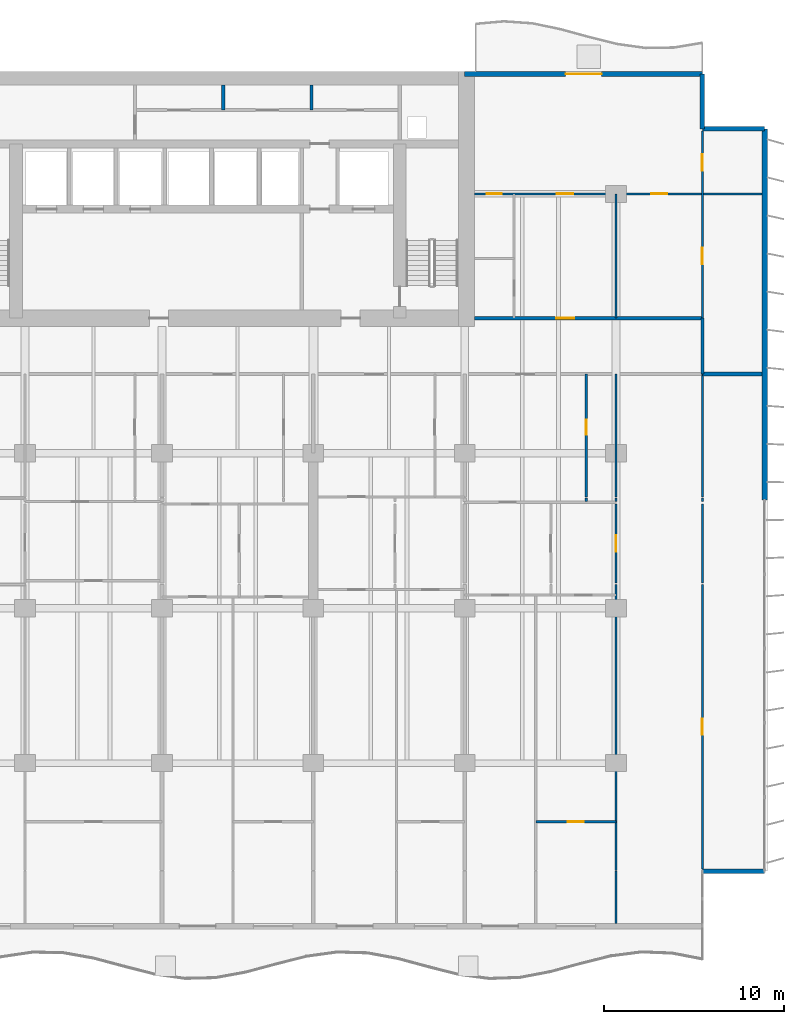
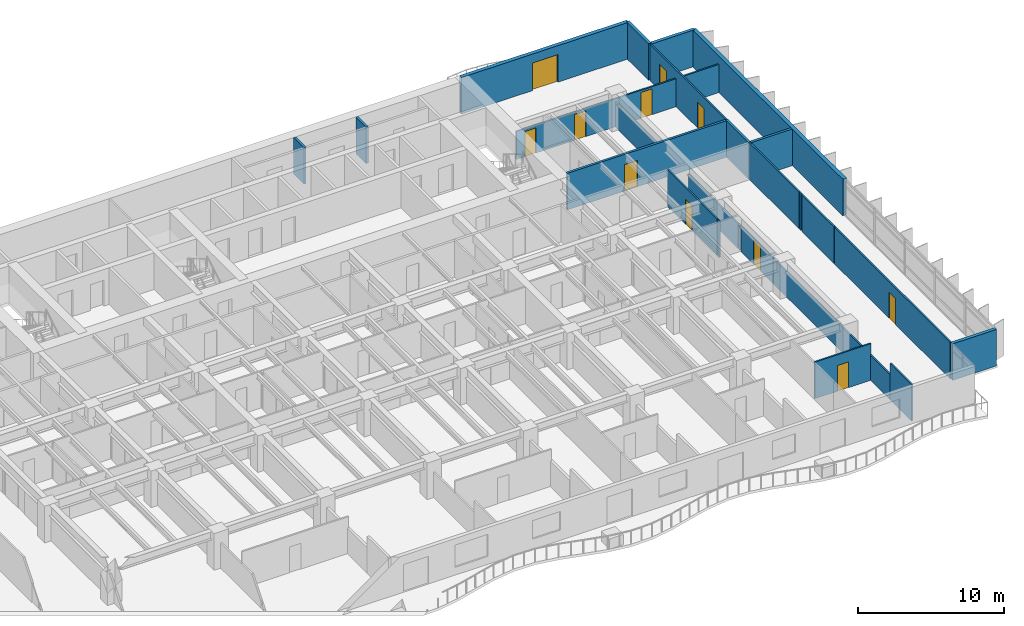
# One storey, part 12 of 17: 25 walls, 11 doors, 11 openings.
"""IFC4 building model written with IfcOpenShell, lengths in metres."""

from ifc_helpers import new_model, si_unit, direction, frame, frame_2d, origin, place, context, subcontext, project, spatial, rectangle, extrude, material, layer, layer_set, type_object, element, fill, save


model = new_model("IFC4")

# Units and contexts
model_context = context("Model", 3, precision=1e-05, world=origin(), true_north=direction((0.0, 1.0)))
body_context = subcontext(model_context, "Body", "Model", "MODEL_VIEW")
ifc_project = project(units=[si_unit("LENGTHUNIT", "METRE"), si_unit("AREAUNIT", "SQUARE_METRE"), si_unit("VOLUMEUNIT", "CUBIC_METRE"), si_unit("PLANEANGLEUNIT", "RADIAN"), si_unit("MASSUNIT", "GRAM", prefix="KILO")], contexts=[model_context])

# Site, building, storey
site_placement = place(None, origin())
site = spatial("IfcSite", under=ifc_project, at=site_placement, CompositionType="ELEMENT")
building_placement = place(site_placement, origin())
building = spatial("IfcBuilding", under=site, at=building_placement, Name="Caelmar Bay Residences", CompositionType="ELEMENT")
storey_placement = place(building_placement, frame((0.0, 0.0, 59.699951171875)))
storey = spatial("IfcBuildingStorey", under=building, at=storey_placement, Name="L15", CompositionType="ELEMENT", Elevation=59.699951171875)

# Walls
ifc_material_1 = material(Name="Double-stud acoustic fire-rated gypsum partition 180 mm")
ifc_layer_1 = layer(ifc_material_1, 0.179931640625)
ifc_layer_set_1 = layer_set([ifc_layer_1], Name="Double-stud acoustic fire-rated gypsum partition 180 mm")
wall_type_1 = type_object("IfcWallType", Name="W-COR-200", PredefinedType="PARTITIONING", material=ifc_layer_set_1)
for number, where, z_axis, x_axis, name in (
    (1, (46.10009765625, 48.449951171875, 0.0), (0.0, 0.0, 1.0), (0.0, 1.0, 0.0), "L15 Partition Wall V054"),
    (2, (51.0, 48.449951171875, 0.0), (0.0, 0.0, 1.0), (0.0, 1.0, 0.0), "L15 Partition Wall V064"),
):
    element("IfcWall", number, at=place(storey_placement, frame(where, z_axis=z_axis, x_axis=x_axis)), inside=storey, type_object=wall_type_1, Name=name, PredefinedType="PARTITIONING", context=body_context, shape_type="SweptSolid", body=[
        extrude(rectangle(XDim=1.405029296875, YDim=0.179931640625, at=frame_2d((0.70263671875, 0.0))), origin(), (0.0, 0.0, 1.0), 3.050048828125),
    ])
wall_1_placement = place(storey_placement, frame((72.699951171875, 33.804931640625, 0.0), z_axis=(0.0, 0.0, 1.0), x_axis=(0.0, 1.0, 0.0)))
element("IfcWall", 3, at=wall_1_placement, inside=storey, type_object=wall_type_1, Name="L15 Partition Wall V098", PredefinedType="PARTITIONING", context=body_context, shape_type="SweptSolid", body=[
    extrude(rectangle(XDim=3.094970703125, YDim=0.179931640625, at=frame_2d((1.54736328125, 0.0))), origin(), (0.0, 0.0, 1.0), 3.050048828125),
])

# Wall, opening, door
wall_2_placement = place(storey_placement, frame((60.054931640625, 36.89990234375, 0.0), z_axis=(0.0, 0.0, 1.0), x_axis=(1.0, 0.0, 0.0)))
wall_2 = element("IfcWall", 4, at=wall_2_placement, inside=storey, type_object=wall_type_1, Name="L15 Partition Wall H123", PredefinedType="PARTITIONING", context=body_context, shape_type="SweptSolid", body=[
    extrude(rectangle(XDim=12.64501953125, YDim=0.179931640625, at=frame_2d((6.322509765625, 0.0))), origin(), (0.0, 0.0, 1.0), 3.050048828125),
])
opening_1_placement = place(wall_2_placement, frame((4.52001953125, 0.0, 0.0)))
opening_1 = element("IfcOpeningElement", 5, at=opening_1_placement, cuts=wall_2, Name="Opening D-L15-174", PredefinedType="OPENING", context=body_context, shape_type="SweptSolid", body=[
    extrude(rectangle(XDim=1.0, YDim=2.199951171875, at=frame_2d((0.5, 1.10009765625))), frame((0.0, 0.099853515625, 0.0), z_axis=(0.0, -1.0, 0.0), x_axis=(1.0, 0.0, 0.0)), (0.0, 0.0, 1.0), 0.199951171875),
])
ifc_material_2 = material(Name="Fire-rated steel and walnut architectural door assembly", Category="steel")
ifc_layer_2 = layer(ifc_material_2, 0.050048828125)
ifc_layer_set_2 = layer_set([ifc_layer_2], Name="Fire-rated steel and walnut architectural door assembly")
door_type_1 = type_object("IfcDoorType", Name="D-UNIT-1000", OperationType="NOTDEFINED", PredefinedType="DOOR", material=ifc_layer_set_2)
door_1_placement = place(opening_1_placement, origin())
door_1 = element("IfcDoor", 6, at=door_1_placement, inside=storey, type_object=door_type_1, Name="L15 Residence EA Kitchen Door", OperationType="SINGLE_SWING_LEFT", OverallHeight=2.199951171875, OverallWidth=1.0, PredefinedType="DOOR", context=body_context, shape_type="SweptSolid", body=[
    extrude(rectangle(XDim=1.0, YDim=2.199951171875, at=frame_2d((0.5, 1.10009765625))), frame((0.0, 0.02490234375, 0.0), z_axis=(0.0, -1.0, 0.0), x_axis=(1.0, 0.0, 0.0)), (0.0, 0.0, 1.0), 0.050048828125),
])
fill(opening_1, door_1)

# Walls
ifc_material_3 = material(Name="Precast concrete f'c 40 MPa (6,000 psi)", Category="concrete")
ifc_layer_3 = layer(ifc_material_3, 0.25)
ifc_layer_set_3 = layer_set([ifc_layer_3], Name="Precast concrete f'c 40 MPa (6,000 psi)")
wall_type_2 = type_object("IfcWallType", Name="W-EXT-250", PredefinedType="ELEMENTEDWALL", material=ifc_layer_set_3)
wall_3_placement = place(storey_placement, frame((72.699951171875, 6.199951171875, 0.0), z_axis=(0.0, 0.0, 1.0), x_axis=(1.0, 0.0, 0.0)))
element("IfcWall", 7, at=wall_3_placement, inside=storey, type_object=wall_type_2, Name="L15 SE Notch Return Wall", PredefinedType="ELEMENTEDWALL", context=body_context, shape_type="SweptSolid", body=[
    extrude(rectangle(XDim=3.449951171875, YDim=0.25, at=frame_2d((1.72509765625, 0.0))), origin(), (0.0, 0.0, 1.0), 3.050048828125),
])
wall_4_placement = place(storey_placement, frame((72.699951171875, 50.449951171875, 0.0), z_axis=(0.0, 0.0, 1.0), x_axis=(0.0, -1.0, 0.0)))
element("IfcWall", 8, at=wall_4_placement, inside=storey, type_object=wall_type_2, Name="L15 NNE-V Notch Wall", PredefinedType="ELEMENTEDWALL", context=body_context, shape_type="SweptSolid", body=[
    extrude(rectangle(XDim=3.050048828125, YDim=0.25, at=frame_2d((1.52490234375, 0.0))), origin(), (0.0, 0.0, 1.0), 3.050048828125),
])
wall_5_placement = place(storey_placement, frame((72.699951171875, 47.39990234375, 0.0), z_axis=(0.0, 0.0, 1.0), x_axis=(1.0, 0.0, 0.0)))
element("IfcWall", 9, at=wall_5_placement, inside=storey, type_object=wall_type_2, Name="L15 NNE-H Notch Wall", PredefinedType="ELEMENTEDWALL", context=body_context, shape_type="SweptSolid", body=[
    extrude(rectangle(XDim=3.449951171875, YDim=0.25, at=frame_2d((1.72509765625, 0.0))), origin(), (0.0, 0.0, 1.0), 3.050048828125),
])
ifc_layer_4 = layer(ifc_material_3, 0.300048828125)
ifc_layer_set_4 = layer_set([ifc_layer_4], Name="Precast concrete f'c 40 MPa (6,000 psi)")
wall_type_3 = type_object("IfcWallType", Name="W-EXT-300", PredefinedType="STANDARD", material=ifc_layer_set_4)
wall_6_placement = place(storey_placement, frame((76.14990234375, 47.39990234375, 0.0), z_axis=(0.0, 0.0, 1.0), x_axis=(0.0, -1.0, 0.0)))
element("IfcWall", 10, at=wall_6_placement, inside=storey, type_object=wall_type_3, Name="L15 East Rear Exterior Wall", PredefinedType="STANDARD", context=body_context, shape_type="SweptSolid", body=[
    extrude(rectangle(XDim=20.599853515625, YDim=0.300048828125, at=frame_2d((10.2998046875, 0.0))), origin(), (0.0, 0.0, 1.0), 3.050048828125),
])

# Wall, opening, door
wall_7_placement = place(storey_placement, frame((59.5, 50.449951171875, 0.0), z_axis=(0.0, 0.0, 1.0), x_axis=(1.0, 0.0, 0.0)))
wall_7 = element("IfcWall", 11, at=wall_7_placement, inside=storey, type_object=wall_type_3, Name="L15 North-East Wing Exterior Wall", PredefinedType="STANDARD", context=body_context, shape_type="SweptSolid", body=[
    extrude(rectangle(XDim=13.199951171875, YDim=0.300048828125, at=frame_2d((6.60009765625, 0.0))), origin(), (0.0, 0.0, 1.0), 3.050048828125),
])
opening_2_placement = place(wall_7_placement, frame((5.60009765625, 0.0, 0.0)))
opening_2 = element("IfcOpeningElement", 12, at=opening_2_placement, cuts=wall_7, Name="Opening L15-BDNE", PredefinedType="OPENING", context=body_context, shape_type="SweptSolid", body=[
    extrude(rectangle(XDim=2.0, YDim=2.300048828125, at=frame_2d((1.0, 1.14990234375))), frame((0.0, 0.159912109375, 0.0), z_axis=(0.0, -1.0, 0.0), x_axis=(1.0, 0.0, 0.0)), (0.0, 0.0, 1.0), 0.320068359375),
])
ifc_material_4 = material(Name="Anodised bronze thermally broken sliding glass door", Category="glass")
ifc_layer_5 = layer(ifc_material_4, 0.050048828125)
ifc_layer_set_5 = layer_set([ifc_layer_5], Name="Anodised bronze thermally broken sliding glass door")
door_type_2 = type_object("IfcDoorType", Name="D-BAL-2000", OperationType="DOUBLE_DOOR_SLIDING", PredefinedType="DOOR", material=ifc_layer_set_5)
door_2_placement = place(opening_2_placement, origin())
door_2 = element("IfcDoor", 13, at=door_2_placement, inside=storey, type_object=door_type_2, Name="L15 North-East Balcony Door", OperationType="DOUBLE_DOOR_SLIDING", OverallHeight=2.300048828125, OverallWidth=2.0, PredefinedType="DOOR", context=body_context, shape_type="SweptSolid", body=[
    extrude(rectangle(XDim=2.0, YDim=2.300048828125, at=frame_2d((1.0, 1.14990234375))), frame((0.0, 0.02490234375, 0.0), z_axis=(0.0, -1.0, 0.0), x_axis=(1.0, 0.0, 0.0)), (0.0, 0.0, 1.0), 0.050048828125),
])
fill(opening_2, door_2)

# Wall
ifc_material_5 = material(Name="Acoustic metal-stud gypsum partition 120 mm")
ifc_layer_6 = layer(ifc_material_5, 0.1201171875)
ifc_layer_set_6 = layer_set([ifc_layer_6], Name="Acoustic metal-stud gypsum partition 120 mm")
wall_type_4 = type_object("IfcWallType", Name="W-PRT-120", PredefinedType="PARTITIONING", material=ifc_layer_set_6)
wall_8_placement = place(storey_placement, frame((66.25, 26.719970703125, 0.0), z_axis=(0.0, 0.0, 1.0), x_axis=(0.0, 1.0, 0.0)))
element("IfcWall", 14, at=wall_8_placement, inside=storey, type_object=wall_type_4, Name="L15 Partition Wall V086", PredefinedType="PARTITIONING", context=body_context, shape_type="SweptSolid", body=[
    extrude(rectangle(XDim=0.199951171875, YDim=0.1201171875, at=frame_2d((0.10009765625, 0.0))), origin(), (0.0, 0.0, 1.0), 3.050048828125),
])

# Wall, opening, door
wall_9_placement = place(storey_placement, frame((66.25, 26.97998046875, 0.0), z_axis=(0.0, 0.0, 1.0), x_axis=(0.0, 1.0, 0.0)))
wall_9 = element("IfcWall", 15, at=wall_9_placement, inside=storey, type_object=wall_type_4, Name="L15 Partition Wall V087", PredefinedType="PARTITIONING", context=body_context, shape_type="SweptSolid", body=[
    extrude(rectangle(XDim=6.820068359375, YDim=0.1201171875, at=frame_2d((3.41015625, 0.0))), origin(), (0.0, 0.0, 1.0), 3.050048828125),
])
opening_3_placement = place(wall_9_placement, frame((3.43505859375, 0.0, 0.0)))
opening_3 = element("IfcOpeningElement", 16, at=opening_3_placement, cuts=wall_9, Name="Opening D-L15-157", PredefinedType="OPENING", context=body_context, shape_type="SweptSolid", body=[
    extrude(rectangle(XDim=0.85009765625, YDim=2.10009765625, at=frame_2d((0.425048828125, 1.050048828125))), frame((0.0, 0.070068359375, 0.0), z_axis=(0.0, -1.0, 0.0), x_axis=(1.0, 0.0, 0.0)), (0.0, 0.0, 1.0), 0.14013671875),
])
ifc_material_6 = material(Name="Solid walnut timber interior door leaf and frame", Category="wood")
ifc_layer_7 = layer(ifc_material_6, 0.050048828125)
ifc_layer_set_7 = layer_set([ifc_layer_7], Name="Solid walnut timber interior door leaf and frame")
door_type_3 = type_object("IfcDoorType", Name="D-BATH-850", OperationType="NOTDEFINED", PredefinedType="DOOR", material=ifc_layer_set_7)
door_3_placement = place(opening_3_placement, origin())
door_3 = element("IfcDoor", 17, at=door_3_placement, inside=storey, type_object=door_type_3, Name="L15 Residence 05 Bathroom Door", OperationType="SINGLE_SWING_RIGHT", OverallHeight=2.10009765625, OverallWidth=0.85009765625, PredefinedType="DOOR", context=body_context, shape_type="SweptSolid", body=[
    extrude(rectangle(XDim=0.85009765625, YDim=2.10009765625, at=frame_2d((0.425048828125, 1.050048828125))), frame((0.0, 0.02490234375, 0.0), z_axis=(0.0, -1.0, 0.0), x_axis=(1.0, 0.0, 0.0)), (0.0, 0.0, 1.0), 0.050048828125),
])
fill(opening_3, door_3)

# Walls
wall_10_placement = place(storey_placement, frame((67.89990234375, 3.294921875, 0.0), z_axis=(0.0, 0.0, 1.0), x_axis=(0.0, 1.0, 0.0)))
element("IfcWall", 18, at=wall_10_placement, inside=storey, type_object=wall_type_4, Name="L15 Partition Wall V088", PredefinedType="PARTITIONING", context=body_context, shape_type="SweptSolid", body=[
    extrude(rectangle(XDim=2.905029296875, YDim=0.1201171875, at=frame_2d((1.45263671875, 0.0))), origin(), (0.0, 0.0, 1.0), 3.050048828125),
])
wall_11_placement = place(storey_placement, frame((67.89990234375, 6.239990234375, 0.0), z_axis=(0.0, 0.0, 1.0), x_axis=(0.0, 1.0, 0.0)))
element("IfcWall", 19, at=wall_11_placement, inside=storey, type_object=wall_type_4, Name="L15 Partition Wall V089", PredefinedType="PARTITIONING", context=body_context, shape_type="SweptSolid", body=[
    extrude(rectangle(XDim=15.880126953125, YDim=0.1201171875, at=frame_2d((7.93994140625, 0.0))), origin(), (0.0, 0.0, 1.0), 2.110107421875),
])

# Wall, opening, door
wall_12_placement = place(storey_placement, frame((67.89990234375, 22.199951171875, 0.0), z_axis=(0.0, 0.0, 1.0), x_axis=(0.0, 1.0, 0.0)))
wall_12 = element("IfcWall", 20, at=wall_12_placement, inside=storey, type_object=wall_type_4, Name="L15 Partition Wall V090", PredefinedType="PARTITIONING", context=body_context, shape_type="SweptSolid", body=[
    extrude(rectangle(XDim=4.380126953125, YDim=0.1201171875, at=frame_2d((2.18994140625, 0.0))), origin(), (0.0, 0.0, 1.0), 2.110107421875),
])
opening_4_placement = place(wall_12_placement, frame((1.739990234375, 0.0, 0.0)))
opening_4 = element("IfcOpeningElement", 21, at=opening_4_placement, cuts=wall_12, Name="Opening D-L15-163", PredefinedType="OPENING", context=body_context, shape_type="SweptSolid", body=[
    extrude(rectangle(XDim=0.89990234375, YDim=2.06005859375, at=frame_2d((0.449951171875, 1.030029296875))), frame((0.0, 0.070068359375, 0.0), z_axis=(0.0, -1.0, 0.0), x_axis=(1.0, 0.0, 0.0)), (0.0, 0.0, 1.0), 0.14013671875),
])
ifc_layer_8 = layer(ifc_material_6, 0.050048828125)
ifc_layer_set_8 = layer_set([ifc_layer_8], Name="Solid walnut timber interior door leaf and frame")
door_type_4 = type_object("IfcDoorType", Name="D-ROOM-900", OperationType="NOTDEFINED", PredefinedType="DOOR", material=ifc_layer_set_8)
door_4_placement = place(opening_4_placement, origin())
door_4 = element("IfcDoor", 22, at=door_4_placement, inside=storey, type_object=door_type_4, Name="L15 Residence 05 East Apartment Hall Door", OperationType="SINGLE_SWING_RIGHT", OverallHeight=2.06005859375, OverallWidth=0.89990234375, PredefinedType="DOOR", context=body_context, shape_type="SweptSolid", body=[
    extrude(rectangle(XDim=0.89990234375, YDim=2.06005859375, at=frame_2d((0.449951171875, 1.030029296875))), frame((0.0, 0.02490234375, 0.0), z_axis=(0.0, -1.0, 0.0), x_axis=(1.0, 0.0, 0.0)), (0.0, 0.0, 1.0), 0.050048828125),
])
fill(opening_4, door_4)

# Walls
wall_13_placement = place(storey_placement, frame((67.89990234375, 26.719970703125, 0.0), z_axis=(0.0, 0.0, 1.0), x_axis=(0.0, 1.0, 0.0)))
element("IfcWall", 23, at=wall_13_placement, inside=storey, type_object=wall_type_4, Name="L15 Partition Wall V091", PredefinedType="PARTITIONING", context=body_context, shape_type="SweptSolid", body=[
    extrude(rectangle(XDim=0.199951171875, YDim=0.1201171875, at=frame_2d((0.10009765625, 0.0))), origin(), (0.0, 0.0, 1.0), 2.110107421875),
])
wall_14_placement = place(storey_placement, frame((67.89990234375, 26.97998046875, 0.0), z_axis=(0.0, 0.0, 1.0), x_axis=(0.0, 1.0, 0.0)))
element("IfcWall", 24, at=wall_14_placement, inside=storey, type_object=wall_type_4, Name="L15 Partition Wall V092", PredefinedType="PARTITIONING", context=body_context, shape_type="SweptSolid", body=[
    extrude(rectangle(XDim=6.820068359375, YDim=0.1201171875, at=frame_2d((3.41015625, 0.0))), origin(), (0.0, 0.0, 1.0), 2.110107421875),
])
wall_15_placement = place(storey_placement, frame((67.89990234375, 36.89990234375, 0.0), z_axis=(0.0, 0.0, 1.0), x_axis=(0.0, 1.0, 0.0)))
element("IfcWall", 25, at=wall_15_placement, inside=storey, type_object=wall_type_4, Name="L15 Partition Wall V093", PredefinedType="PARTITIONING", context=body_context, shape_type="SweptSolid", body=[
    extrude(rectangle(XDim=6.900146484375, YDim=0.1201171875, at=frame_2d((3.4501953125, 0.0))), origin(), (0.0, 0.0, 1.0), 2.110107421875),
])

# Wall, opening, door
wall_16_placement = place(storey_placement, frame((72.699951171875, 6.320068359375, 0.0), z_axis=(0.0, 0.0, 1.0), x_axis=(0.0, 1.0, 0.0)))
wall_16 = element("IfcWall", 26, at=wall_16_placement, inside=storey, type_object=wall_type_4, Name="L15 Partition Wall V094", PredefinedType="PARTITIONING", context=body_context, shape_type="SweptSolid", body=[
    extrude(rectangle(XDim=15.800048828125, YDim=0.1201171875, at=frame_2d((7.89990234375, 0.0))), origin(), (0.0, 0.0, 1.0), 3.050048828125),
])
opening_5_placement = place(wall_16_placement, frame((7.449951171875, 0.0, 0.0)))
opening_5 = element("IfcOpeningElement", 27, at=opening_5_placement, cuts=wall_16, Name="Opening D-L15-165", PredefinedType="OPENING", context=body_context, shape_type="SweptSolid", body=[
    extrude(rectangle(XDim=0.89990234375, YDim=2.14990234375, at=frame_2d((0.449951171875, 1.074951171875))), frame((0.0, 0.070068359375, 0.0), z_axis=(0.0, -1.0, 0.0), x_axis=(1.0, 0.0, 0.0)), (0.0, 0.0, 1.0), 0.14013671875),
])
door_5_placement = place(opening_5_placement, origin())
door_5 = element("IfcDoor", 28, at=door_5_placement, inside=storey, type_object=door_type_4, Name="L15 Residence 05 Penthouse East Salon Door", OperationType="SINGLE_SWING_RIGHT", OverallHeight=2.14990234375, OverallWidth=0.89990234375, PredefinedType="DOOR", context=body_context, shape_type="SweptSolid", body=[
    extrude(rectangle(XDim=0.89990234375, YDim=2.14990234375, at=frame_2d((0.449951171875, 1.074951171875))), frame((0.0, 0.02490234375, 0.0), z_axis=(0.0, -1.0, 0.0), x_axis=(1.0, 0.0, 0.0)), (0.0, 0.0, 1.0), 0.050048828125),
])
fill(opening_5, door_5)

# Walls
wall_17_placement = place(storey_placement, frame((72.699951171875, 22.199951171875, 0.0), z_axis=(0.0, 0.0, 1.0), x_axis=(0.0, 1.0, 0.0)))
element("IfcWall", 29, at=wall_17_placement, inside=storey, type_object=wall_type_4, Name="L15 Partition Wall V095", PredefinedType="PARTITIONING", context=body_context, shape_type="SweptSolid", body=[
    extrude(rectangle(XDim=4.380126953125, YDim=0.1201171875, at=frame_2d((2.18994140625, 0.0))), origin(), (0.0, 0.0, 1.0), 3.050048828125),
])
wall_18_placement = place(storey_placement, frame((72.699951171875, 26.719970703125, 0.0), z_axis=(0.0, 0.0, 1.0), x_axis=(0.0, 1.0, 0.0)))
element("IfcWall", 30, at=wall_18_placement, inside=storey, type_object=wall_type_4, Name="L15 Partition Wall V096", PredefinedType="PARTITIONING", context=body_context, shape_type="SweptSolid", body=[
    extrude(rectangle(XDim=0.199951171875, YDim=0.1201171875, at=frame_2d((0.10009765625, 0.0))), origin(), (0.0, 0.0, 1.0), 3.050048828125),
])
wall_19_placement = place(storey_placement, frame((72.699951171875, 26.97998046875, 0.0), z_axis=(0.0, 0.0, 1.0), x_axis=(0.0, 1.0, 0.0)))
element("IfcWall", 31, at=wall_19_placement, inside=storey, type_object=wall_type_4, Name="L15 Partition Wall V097", PredefinedType="PARTITIONING", context=body_context, shape_type="SweptSolid", body=[
    extrude(rectangle(XDim=6.820068359375, YDim=0.1201171875, at=frame_2d((3.41015625, 0.0))), origin(), (0.0, 0.0, 1.0), 3.050048828125),
])

# Wall, openings, doors
wall_20_placement = place(storey_placement, frame((72.699951171875, 36.905029296875, 0.0), z_axis=(0.0, 0.0, 1.0), x_axis=(0.0, 1.0, 0.0)))
wall_20 = element("IfcWall", 32, at=wall_20_placement, inside=storey, type_object=wall_type_4, Name="L15 Partition Wall V099", PredefinedType="PARTITIONING", context=body_context, shape_type="SweptSolid", body=[
    extrude(rectangle(XDim=10.375, YDim=0.1201171875, at=frame_2d((5.1875, 0.0))), origin(), (0.0, 0.0, 1.0), 3.050048828125),
])
opening_6_placement = place(wall_20_placement, frame((2.99755859375, 0.0, 0.0)))
opening_6 = element("IfcOpeningElement", 33, at=opening_6_placement, cuts=wall_20, Name="Opening D-L15-178", PredefinedType="OPENING", context=body_context, shape_type="SweptSolid", body=[
    extrude(rectangle(XDim=0.89990234375, YDim=2.14990234375, at=frame_2d((0.449951171875, 1.074951171875))), frame((0.0, 0.070068359375, 0.0), z_axis=(0.0, -1.0, 0.0), x_axis=(1.0, 0.0, 0.0)), (0.0, 0.0, 1.0), 0.14013671875),
])
opening_7_placement = place(wall_20_placement, frame((8.18505859375, 0.0, 0.0)))
opening_7 = element("IfcOpeningElement", 34, at=opening_7_placement, cuts=wall_20, Name="Opening D-L15-179", PredefinedType="OPENING", context=body_context, shape_type="SweptSolid", body=[
    extrude(rectangle(XDim=0.89990234375, YDim=2.14990234375, at=frame_2d((0.449951171875, 1.074951171875))), frame((0.0, 0.070068359375, 0.0), z_axis=(0.0, -1.0, 0.0), x_axis=(1.0, 0.0, 0.0)), (0.0, 0.0, 1.0), 0.14013671875),
])
door_6_placement = place(opening_6_placement, origin())
door_6 = element("IfcDoor", 35, at=door_6_placement, inside=storey, type_object=door_type_4, Name="L15 Residence EA Sun Study Door", OperationType="SINGLE_SWING_LEFT", OverallHeight=2.14990234375, OverallWidth=0.89990234375, PredefinedType="DOOR", context=body_context, shape_type="SweptSolid", body=[
    extrude(rectangle(XDim=0.89990234375, YDim=2.14990234375, at=frame_2d((0.449951171875, 1.074951171875))), frame((0.0, 0.02490234375, 0.0), z_axis=(0.0, -1.0, 0.0), x_axis=(1.0, 0.0, 0.0)), (0.0, 0.0, 1.0), 0.050048828125),
])
fill(opening_6, door_6)
door_7_placement = place(opening_7_placement, origin())
door_7 = element("IfcDoor", 36, at=door_7_placement, inside=storey, type_object=door_type_4, Name="L15 Residence EA North Sitting Alcove Door", OperationType="SINGLE_SWING_RIGHT", OverallHeight=2.14990234375, OverallWidth=0.89990234375, PredefinedType="DOOR", context=body_context, shape_type="SweptSolid", body=[
    extrude(rectangle(XDim=0.89990234375, YDim=2.14990234375, at=frame_2d((0.449951171875, 1.074951171875))), frame((0.0, 0.02490234375, 0.0), z_axis=(0.0, -1.0, 0.0), x_axis=(1.0, 0.0, 0.0)), (0.0, 0.0, 1.0), 0.050048828125),
])
fill(opening_7, door_7)

# Wall, opening, door
wall_21_placement = place(storey_placement, frame((63.447998046875, 8.949951171875, 0.0), z_axis=(0.0, 0.0, 1.0), x_axis=(1.0, 0.0, 0.0)))
wall_21 = element("IfcWall", 37, at=wall_21_placement, inside=storey, type_object=wall_type_4, Name="L15 Partition Wall H104", PredefinedType="PARTITIONING", context=body_context, shape_type="SweptSolid", body=[
    extrude(rectangle(XDim=4.451904296875, YDim=0.1201171875, at=frame_2d((2.22607421875, 0.0))), origin(), (0.0, 0.0, 1.0), 3.050048828125),
])
opening_8_placement = place(wall_21_placement, frame((1.77587890625, 0.0, 0.0)))
opening_8 = element("IfcOpeningElement", 38, at=opening_8_placement, cuts=wall_21, Name="Opening D-L15-162", PredefinedType="OPENING", context=body_context, shape_type="SweptSolid", body=[
    extrude(rectangle(XDim=0.89990234375, YDim=2.14990234375, at=frame_2d((0.449951171875, 1.074951171875))), frame((0.0, 0.070068359375, 0.0), z_axis=(0.0, -1.0, 0.0), x_axis=(1.0, 0.0, 0.0)), (0.0, 0.0, 1.0), 0.14013671875),
])
door_8_placement = place(opening_8_placement, origin())
door_8 = element("IfcDoor", 39, at=door_8_placement, inside=storey, type_object=door_type_4, Name="L15 Residence 05 Primary Bedroom Door", OperationType="SINGLE_SWING_LEFT", OverallHeight=2.14990234375, OverallWidth=0.89990234375, PredefinedType="DOOR", context=body_context, shape_type="SweptSolid", body=[
    extrude(rectangle(XDim=0.89990234375, YDim=2.14990234375, at=frame_2d((0.449951171875, 1.074951171875))), frame((0.0, 0.02490234375, 0.0), z_axis=(0.0, -1.0, 0.0), x_axis=(1.0, 0.0, 0.0)), (0.0, 0.0, 1.0), 0.050048828125),
])
fill(opening_8, door_8)

# Wall, openings, doors
wall_22_placement = place(storey_placement, frame((60.044921875, 43.800048828125, 0.0), z_axis=(0.0, 0.0, 1.0), x_axis=(1.0, 0.0, 0.0)))
wall_22 = element("IfcWall", 40, at=wall_22_placement, inside=storey, type_object=wall_type_4, Name="L15 Partition Wall H127", PredefinedType="PARTITIONING", context=body_context, shape_type="SweptSolid", body=[
    extrude(rectangle(XDim=15.9599609375, YDim=0.1201171875, at=frame_2d((7.97998046875, 0.0))), origin(), (0.0, 0.0, 1.0), 2.339111328125),
])
opening_9_placement = place(wall_22_placement, frame((9.804931640625, 0.0, 0.0)))
opening_9 = element("IfcOpeningElement", 41, at=opening_9_placement, cuts=wall_22, Name="Opening D-L15-173", PredefinedType="OPENING", context=body_context, shape_type="SweptSolid", body=[
    extrude(rectangle(XDim=0.89990234375, YDim=2.14990234375, at=frame_2d((0.449951171875, 1.074951171875))), frame((0.0, 0.070068359375, 0.0), z_axis=(0.0, -1.0, 0.0), x_axis=(1.0, 0.0, 0.0)), (0.0, 0.0, 1.0), 0.14013671875),
])
opening_10_placement = place(wall_22_placement, frame((4.580078125, 0.0, 0.0)))
opening_10 = element("IfcOpeningElement", 42, at=opening_10_placement, cuts=wall_22, Name="Opening D-L15-175", PredefinedType="OPENING", context=body_context, shape_type="SweptSolid", body=[
    extrude(rectangle(XDim=0.89990234375, YDim=2.14990234375, at=frame_2d((0.449951171875, 1.074951171875))), frame((0.0, 0.070068359375, 0.0), z_axis=(0.0, -1.0, 0.0), x_axis=(1.0, 0.0, 0.0)), (0.0, 0.0, 1.0), 0.14013671875),
])
opening_11_placement = place(wall_22_placement, frame((0.677490234375, 0.0, 0.0)))
opening_11 = element("IfcOpeningElement", 43, at=opening_11_placement, cuts=wall_22, Name="Opening D-L15-177", PredefinedType="OPENING", context=body_context, shape_type="SweptSolid", body=[
    extrude(rectangle(XDim=0.85009765625, YDim=2.10009765625, at=frame_2d((0.425048828125, 1.050048828125))), frame((0.0, 0.070068359375, 0.0), z_axis=(0.0, -1.0, 0.0), x_axis=(1.0, 0.0, 0.0)), (0.0, 0.0, 1.0), 0.14013671875),
])
door_9_placement = place(opening_11_placement, origin())
door_9 = element("IfcDoor", 44, at=door_9_placement, inside=storey, type_object=door_type_3, Name="L15 Residence EA Bathroom Door", OperationType="SINGLE_SWING_RIGHT", OverallHeight=2.10009765625, OverallWidth=0.85009765625, PredefinedType="DOOR", context=body_context, shape_type="SweptSolid", body=[
    extrude(rectangle(XDim=0.85009765625, YDim=2.10009765625, at=frame_2d((0.425048828125, 1.050048828125))), frame((0.0, 0.02490234375, 0.0), z_axis=(0.0, -1.0, 0.0), x_axis=(1.0, 0.0, 0.0)), (0.0, 0.0, 1.0), 0.050048828125),
])
fill(opening_11, door_9)
door_10_placement = place(opening_9_placement, origin())
door_10 = element("IfcDoor", 45, at=door_10_placement, inside=storey, type_object=door_type_4, Name="L15 Residence EA Study Door", OperationType="SINGLE_SWING_RIGHT", OverallHeight=2.14990234375, OverallWidth=0.89990234375, PredefinedType="DOOR", context=body_context, shape_type="SweptSolid", body=[
    extrude(rectangle(XDim=0.89990234375, YDim=2.14990234375, at=frame_2d((0.449951171875, 1.074951171875))), frame((0.0, 0.02490234375, 0.0), z_axis=(0.0, -1.0, 0.0), x_axis=(1.0, 0.0, 0.0)), (0.0, 0.0, 1.0), 0.050048828125),
])
fill(opening_9, door_10)
door_11_placement = place(opening_10_placement, origin())
door_11 = element("IfcDoor", 46, at=door_11_placement, inside=storey, type_object=door_type_4, Name="L15 Residence EA Studio Living and Sleeping Room Door", OperationType="SINGLE_SWING_RIGHT", OverallHeight=2.14990234375, OverallWidth=0.89990234375, PredefinedType="DOOR", context=body_context, shape_type="SweptSolid", body=[
    extrude(rectangle(XDim=0.89990234375, YDim=2.14990234375, at=frame_2d((0.449951171875, 1.074951171875))), frame((0.0, 0.02490234375, 0.0), z_axis=(0.0, -1.0, 0.0), x_axis=(1.0, 0.0, 0.0)), (0.0, 0.0, 1.0), 0.050048828125),
])
fill(opening_10, door_11)

# Wall
ifc_material_7 = material(Name="Acoustic twin-stud fire-rated inter-tenancy partition 200 mm")
ifc_layer_9 = layer(ifc_material_7, 0.199951171875)
ifc_layer_set_9 = layer_set([ifc_layer_9], Name="Acoustic twin-stud fire-rated inter-tenancy partition 200 mm")
wall_type_5 = type_object("IfcWallType", Name="W-PTY-200", PredefinedType="PARTITIONING", material=ifc_layer_set_9)
wall_23_placement = place(storey_placement, frame((72.705078125, 33.800048828125, 0.0), z_axis=(0.0, 0.0, 1.0), x_axis=(1.0, 0.0, 0.0)))
element("IfcWall", 47, at=wall_23_placement, inside=storey, type_object=wall_type_5, Name="L15 Partition Wall H121", PredefinedType="PARTITIONING", context=body_context, shape_type="SweptSolid", body=[
    extrude(rectangle(XDim=3.2998046875, YDim=0.199951171875, at=frame_2d((1.64990234375, 0.0))), origin(), (0.0, 0.0, 1.0), 3.050048828125),
])

save(model, "model.ifc")
